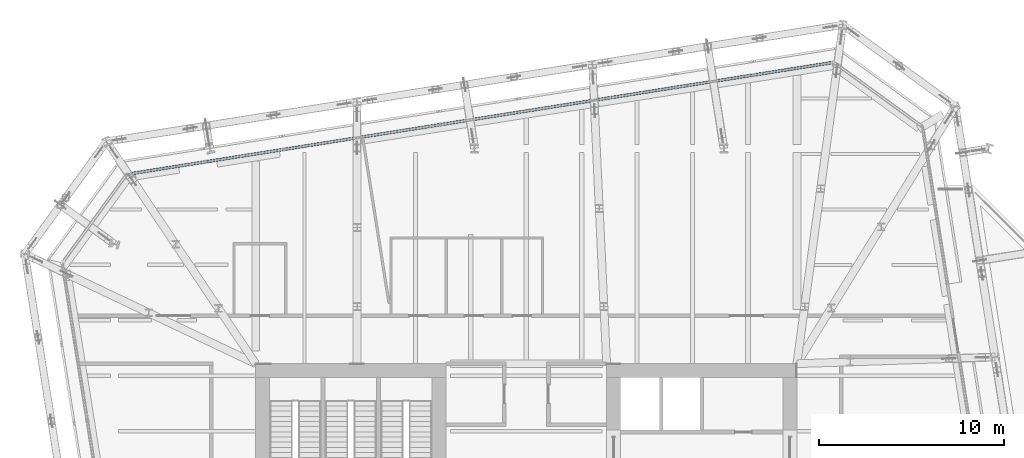
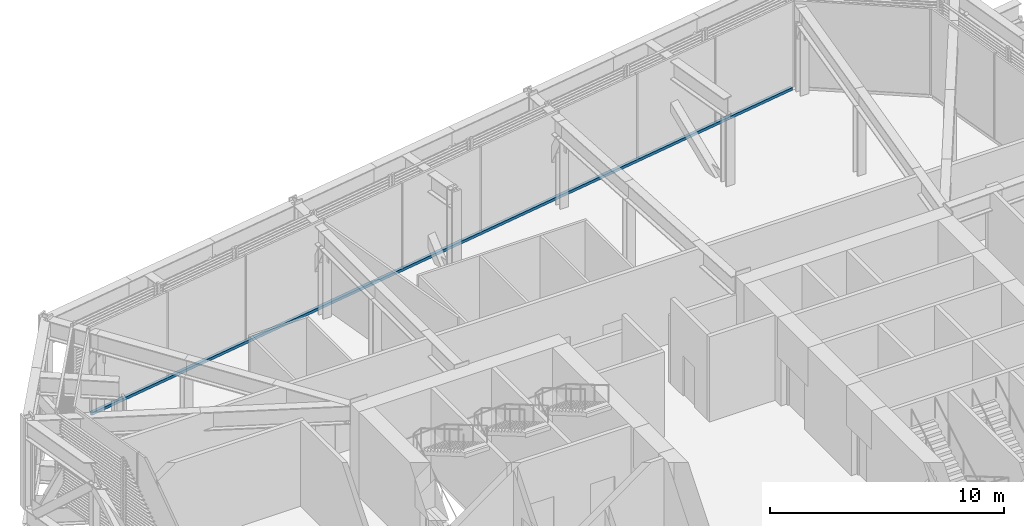
# One storey, part 13 of 32: 1 member, 1 element without a shape of its own.
"""IFC4 building model written with IfcOpenShell, lengths in metres."""

from ifc_helpers import new_model, si_unit, direction, frame, origin, origin_2d, place, context, subcontext, project, spatial, rectangle, extrude, material, layer, layer_set, material_profile, profile_set, type_object, element, aggregate, save


model = new_model("IFC4")

# Units and contexts
model_context = context("Model", 3, precision=1e-05, world=origin(), true_north=direction((0.0, 1.0)))
body_context = subcontext(model_context, "Body", "Model", "MODEL_VIEW")
ifc_project = project(units=[si_unit("LENGTHUNIT", "METRE"), si_unit("AREAUNIT", "SQUARE_METRE"), si_unit("VOLUMEUNIT", "CUBIC_METRE"), si_unit("PLANEANGLEUNIT", "RADIAN"), si_unit("MASSUNIT", "GRAM", prefix="KILO")], contexts=[model_context])

# Site, building, storey
site_placement = place(None, origin())
site = spatial("IfcSite", under=ifc_project, at=site_placement, CompositionType="ELEMENT")
building_placement = place(site_placement, origin())
building = spatial("IfcBuilding", under=site, at=building_placement, Name="Millrace Tower", CompositionType="ELEMENT")
storey_placement = place(building_placement, frame((0.0, 0.0, 124.89990234375)))
storey = spatial("IfcBuildingStorey", under=building, at=storey_placement, Name="L27", CompositionType="ELEMENT", Elevation=124.89990234375)

# Curtain wall, member
ifc_material_1 = material(Name="Aluminium and glass", Category="aluminium")
ifc_layer = layer(ifc_material_1, 0.14990234375)
ifc_layer_set = layer_set([ifc_layer], Name="Aluminium and glass")
curtain_wall_type = type_object("IfcCurtainWallType", Name="CW-5 truss and plant storey louvred infill", PredefinedType="NOTDEFINED", material=ifc_layer_set)
curtain_wall_placement = place(storey_placement, origin())
curtain_wall = element("IfcCurtainWall", 1, at=curtain_wall_placement, inside=storey, type_object=curtain_wall_type, Name="Curtain wall C-F06 L27", PredefinedType="NOTDEFINED")
ifc_material_2 = material(Name="Aluminium", Category="aluminium")
ifc_material_profile = material_profile(ifc_material_2, rectangle(XDim=0.14990234375, YDim=0.139892578125, at=origin_2d()))
ifc_profile_set = profile_set([ifc_material_profile], Name="Aluminium")
member_type = type_object("IfcMemberType", Name="CW-5 truss and plant storey louvred infill transom", PredefinedType="USERDEFINED", material=ifc_profile_set)
member_placement = place(storey_placement, frame((16.525146484375, 25.946044921875, 0.070068359375), z_axis=(-0.987688505691, -0.156433422663, 0.0), x_axis=(0.156433422663, -0.987688505691, 0.0)))
member = element("IfcMember", 2, at=member_placement, type_object=member_type, Name="CW5 transom C-F06.1", ObjectType="TRANSOM", PredefinedType="USERDEFINED", context=body_context, shape_type="SweptSolid", body=[
    extrude(rectangle(XDim=0.14990234375, YDim=0.139892578125, at=origin_2d()), origin(), (0.0, 0.0, 1.0), 38.5),
])
aggregate(curtain_wall, [member])

save(model, "model.ifc")
